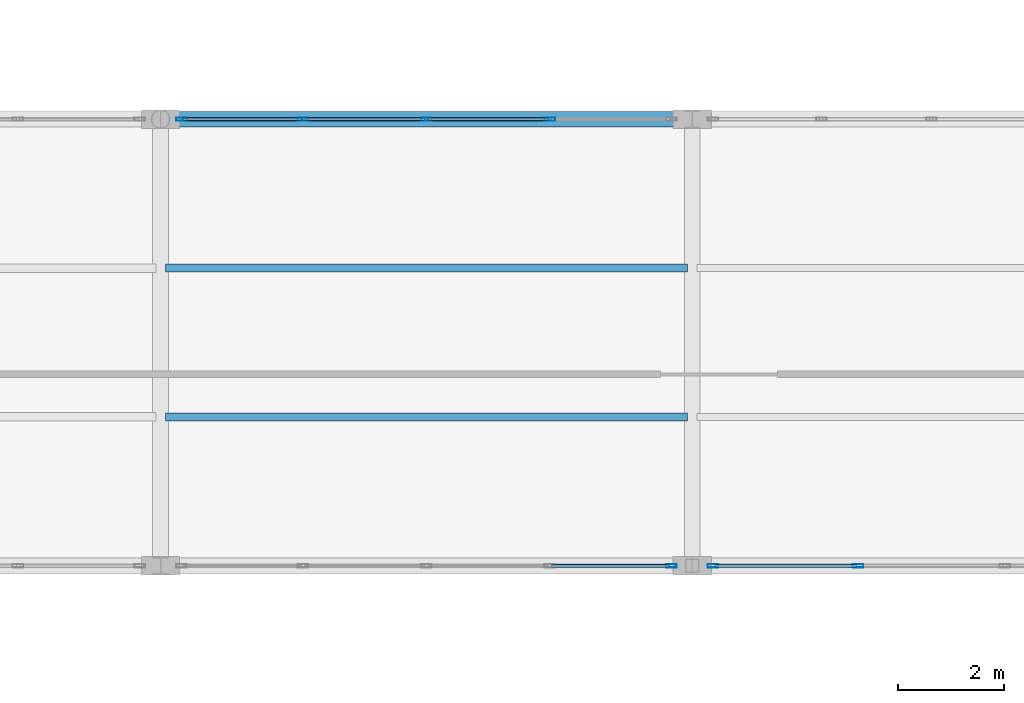
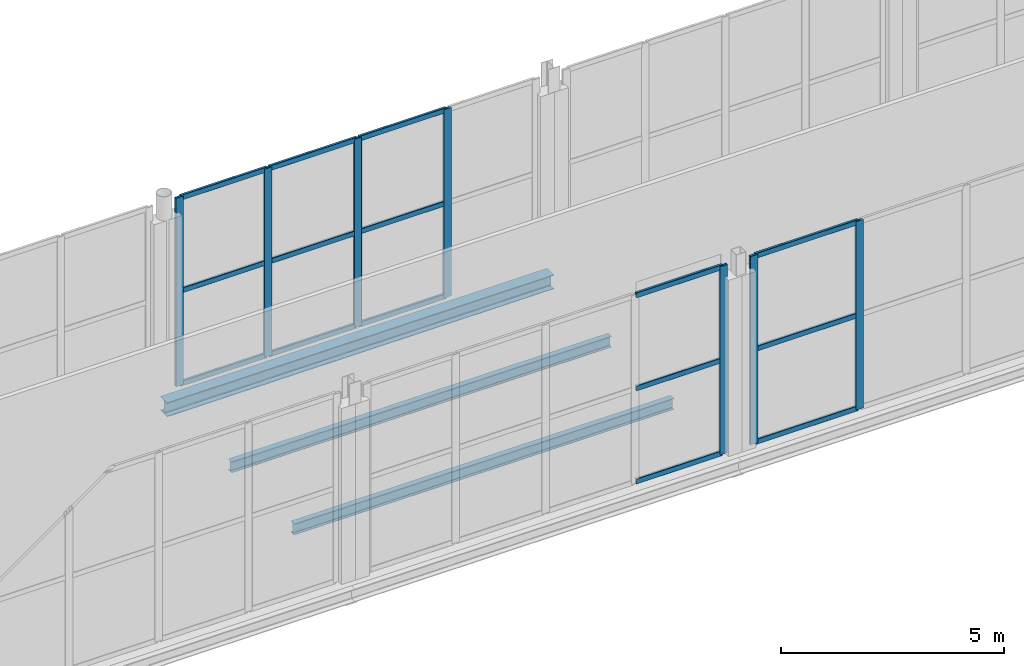
# One storey, part 86 of 147: 22 members, 3 beams, 3 elements without a shape of their own.
"""IFC4 building model written with IfcOpenShell, lengths in metres."""

from ifc_helpers import new_model, si_unit, direction, frame, origin, origin_2d, place, context, subcontext, project, spatial, hollow_rectangle, i_section, extrude, material, layer, layer_set, material_profile, profile_set, type_object, element, aggregate, save


model = new_model("IFC4")

# Units and contexts
model_context = context("Model", 3, precision=1e-05, world=origin(), true_north=direction((0.0, 1.0)))
body_context = subcontext(model_context, "Body", "Model", "MODEL_VIEW")
ifc_project = project(units=[si_unit("LENGTHUNIT", "METRE"), si_unit("AREAUNIT", "SQUARE_METRE"), si_unit("VOLUMEUNIT", "CUBIC_METRE"), si_unit("PLANEANGLEUNIT", "RADIAN"), si_unit("MASSUNIT", "GRAM", prefix="KILO")], contexts=[model_context])

# Site, building, storey
site_placement = place(None, origin())
site = spatial("IfcSite", under=ifc_project, at=site_placement, CompositionType="ELEMENT")
building_placement = place(site_placement, origin())
building = spatial("IfcBuilding", under=site, at=building_placement, Name="Vekula Escarpment Museum", CompositionType="ELEMENT")
storey_placement = place(building_placement, frame((0.0, 0.0, 7.800048828125)))
storey = spatial("IfcBuildingStorey", under=building, at=storey_placement, Name="L02", CompositionType="ELEMENT", Elevation=7.800048828125)

# Beams
ifc_material_1 = material(Name="Steel S355", Category="steel")
ifc_material_profile_1 = material_profile(ifc_material_1, i_section(OverallWidth=0.14990234375, OverallDepth=0.300048828125, WebThickness=0.007080078125, FlangeThickness=0.0107421875, FilletRadius=0.014892578125, at=origin_2d()), Name="IPE 300")
ifc_profile_set_1 = profile_set([ifc_material_profile_1], Name="Steel S355")
beam_type_1 = type_object("IfcBeamType", Name="BM-JST-IPE300", PredefinedType="JOIST", material=ifc_profile_set_1)
for number, where, z_axis, x_axis, name in (
    (1, (136.090087890625, 70.800048828125, -0.41015625), (1.0, 0.0, 0.0), (0.0, 1.0, 0.0), "Secondary Joist L02 0827"),
    (2, (136.090087890625, 73.60009765625, -0.41015625), (1.0, 0.0, 0.0), (0.0, 1.0, 0.0), "Secondary Joist L02 0828"),
):
    element("IfcBeam", number, at=place(storey_placement, frame(where, z_axis=z_axis, x_axis=x_axis)), inside=storey, type_object=beam_type_1, Name=name, PredefinedType="JOIST", context=body_context, shape_type="SweptSolid", body=[
        extrude(i_section(OverallWidth=0.14990234375, OverallDepth=0.300048828125, WebThickness=0.007080078125, FlangeThickness=0.0107421875, FilletRadius=0.014892578125, at=origin_2d()), origin(), (0.0, 0.0, 1.0), 9.81982421875),
    ])
ifc_material_2 = material(Name="Steel S355", Category="steel")
ifc_material_profile_2 = material_profile(ifc_material_2, i_section(OverallWidth=0.300048828125, OverallDepth=0.389892578125, WebThickness=0.010986328125, FlangeThickness=0.01904296875, FilletRadius=0.027099609375, at=origin_2d()), Name="HEA 400")
ifc_profile_set_2 = profile_set([ifc_material_profile_2], Name="Steel S355")
beam_type_2 = type_object("IfcBeamType", Name="BM-SPAN-HEA400", PredefinedType="SPANDREL", material=ifc_profile_set_2)
beam_placement = place(storey_placement, frame((136.0, 76.39990234375, -0.455078125), z_axis=(1.0, 0.0, 0.0), x_axis=(0.0, 1.0, 0.0)))
element("IfcBeam", 3, at=beam_placement, inside=storey, type_object=beam_type_2, Name="Beam X L02 0925", PredefinedType="SPANDREL", context=body_context, shape_type="SweptSolid", body=[
    extrude(i_section(OverallWidth=0.300048828125, OverallDepth=0.389892578125, WebThickness=0.010986328125, FlangeThickness=0.01904296875, FilletRadius=0.027099609375, at=origin_2d()), origin(), (0.0, 0.0, 1.0), 10.0),
])

# Curtain wall, member
ifc_material_3 = material(Name="Aluminium thermally broken framing", Category="aluminium")
ifc_layer_1 = layer(ifc_material_3, 0.199951171875)
ifc_layer_set_1 = layer_set([ifc_layer_1], Name="Aluminium thermally broken framing")
curtain_wall_type_1 = type_object("IfcCurtainWallType", Name="CW-SYS-04", PredefinedType="NOTDEFINED", material=ifc_layer_set_1)
curtain_wall_1_placement = place(storey_placement, origin())
curtain_wall_1 = element("IfcCurtainWall", 4, at=curtain_wall_1_placement, inside=storey, type_object=curtain_wall_type_1, Name="Curtain Wall CW-L02-064", PredefinedType="NOTDEFINED")
ifc_material_4 = material(Name="Aluminium anodized mullion", Category="aluminium")
ifc_material_profile_3 = material_profile(ifc_material_4, hollow_rectangle(XDim=0.06494140625, YDim=0.199951171875, WallThickness=0.00390625, InnerFilletRadius=0.00390625, OuterFilletRadius=0.008056640625, at=origin_2d()), Name="ALU 200x65x4")
ifc_profile_set_3 = profile_set([ifc_material_profile_3], Name="Aluminium anodized mullion")
member_type_1 = type_object("IfcMemberType", Name="CW-MUL-200", PredefinedType="MULLION", material=ifc_profile_set_3)
member_1_placement = place(storey_placement, frame((145.607421875, 68.0, 0.0), z_axis=(0.0, 0.0, 1.0), x_axis=(0.0, 1.0, 0.0)))
member_1 = element("IfcMember", 5, at=member_1_placement, type_object=member_type_1, Name="CW-04 mullion 5", PredefinedType="MULLION", context=body_context, shape_type="SweptSolid", body=[
    extrude(hollow_rectangle(XDim=0.06494140625, YDim=0.199951171875, WallThickness=0.00390625, InnerFilletRadius=0.00390625, OuterFilletRadius=0.008056640625, at=origin_2d()), origin(), (0.0, 0.0, 1.0), 5.14990234375),
])

# Curtain wall, members
ifc_material_5 = material(Name="Aluminium thermally broken framing", Category="aluminium")
ifc_layer_2 = layer(ifc_material_5, 0.159912109375)
ifc_layer_set_2 = layer_set([ifc_layer_2], Name="Aluminium thermally broken framing")
curtain_wall_type_2 = type_object("IfcCurtainWallType", Name="CW-SYS-05", PredefinedType="NOTDEFINED", material=ifc_layer_set_2)
curtain_wall_2_placement = place(storey_placement, origin())
curtain_wall_2 = element("IfcCurtainWall", 6, at=curtain_wall_2_placement, inside=storey, type_object=curtain_wall_type_2, Name="Curtain Wall CW-L02-065", PredefinedType="NOTDEFINED")
member_2_placement = place(storey_placement, frame((146.392578125, 68.0, 0.0), z_axis=(0.0, 0.0, 1.0), x_axis=(0.0, 1.0, 0.0)))
member_2 = element("IfcMember", 7, at=member_2_placement, type_object=member_type_1, Name="CW-05 mullion 1", PredefinedType="MULLION", context=body_context, shape_type="SweptSolid", body=[
    extrude(hollow_rectangle(XDim=0.06494140625, YDim=0.199951171875, WallThickness=0.00390625, InnerFilletRadius=0.00390625, OuterFilletRadius=0.008056640625, at=origin_2d()), origin(), (0.0, 0.0, 1.0), 5.14990234375),
])
member_3_placement = place(storey_placement, frame((149.1201171875, 68.0, 0.0), z_axis=(0.0, 0.0, 1.0), x_axis=(0.0, 1.0, 0.0)))
member_3 = element("IfcMember", 8, at=member_3_placement, type_object=member_type_1, Name="CW-05 mullion 2", PredefinedType="MULLION", context=body_context, shape_type="SweptSolid", body=[
    extrude(hollow_rectangle(XDim=0.06494140625, YDim=0.199951171875, WallThickness=0.00390625, InnerFilletRadius=0.00390625, OuterFilletRadius=0.008056640625, at=origin_2d()), origin(), (0.0, 0.0, 1.0), 5.14990234375),
])

ifc_material_6 = material(Name="Aluminium thermally broken framing", Category="aluminium")
ifc_layer_3 = layer(ifc_material_6, 0.159912109375)
ifc_layer_set_3 = layer_set([ifc_layer_3], Name="Aluminium thermally broken framing")
curtain_wall_type_3 = type_object("IfcCurtainWallType", Name="CW-SYS-02", PredefinedType="NOTDEFINED", material=ifc_layer_set_3)
curtain_wall_3_placement = place(storey_placement, origin())
curtain_wall_3 = element("IfcCurtainWall", 9, at=curtain_wall_3_placement, inside=storey, type_object=curtain_wall_type_3, Name="Curtain Wall CW-L02-072", PredefinedType="NOTDEFINED")
member_4_placement = place(storey_placement, frame((143.320068359375, 76.39990234375, 0.0), z_axis=(0.0, 0.0, 1.0), x_axis=(0.0, -1.0, 0.0)))
member_4 = element("IfcMember", 10, at=member_4_placement, type_object=member_type_1, Name="CW-02 mullion 2", PredefinedType="MULLION", context=body_context, shape_type="SweptSolid", body=[
    extrude(hollow_rectangle(XDim=0.06494140625, YDim=0.199951171875, WallThickness=0.00390625, InnerFilletRadius=0.00390625, OuterFilletRadius=0.008056640625, at=origin_2d()), origin(), (0.0, 0.0, 1.0), 5.14990234375),
])
member_5_placement = place(storey_placement, frame((141.0, 76.39990234375, 0.0), z_axis=(0.0, 0.0, 1.0), x_axis=(0.0, -1.0, 0.0)))
member_5 = element("IfcMember", 11, at=member_5_placement, type_object=member_type_1, Name="CW-02 mullion 3", PredefinedType="MULLION", context=body_context, shape_type="SweptSolid", body=[
    extrude(hollow_rectangle(XDim=0.06494140625, YDim=0.199951171875, WallThickness=0.00390625, InnerFilletRadius=0.00390625, OuterFilletRadius=0.008056640625, at=origin_2d()), origin(), (0.0, 0.0, 1.0), 5.14990234375),
])
member_6_placement = place(storey_placement, frame((138.679931640625, 76.39990234375, 0.0), z_axis=(0.0, 0.0, 1.0), x_axis=(0.0, -1.0, 0.0)))
member_6 = element("IfcMember", 12, at=member_6_placement, type_object=member_type_1, Name="CW-02 mullion 4", PredefinedType="MULLION", context=body_context, shape_type="SweptSolid", body=[
    extrude(hollow_rectangle(XDim=0.06494140625, YDim=0.199951171875, WallThickness=0.00390625, InnerFilletRadius=0.00390625, OuterFilletRadius=0.008056640625, at=origin_2d()), origin(), (0.0, 0.0, 1.0), 5.14990234375),
])
member_7_placement = place(storey_placement, frame((136.392578125, 76.39990234375, 0.0), z_axis=(0.0, 0.0, 1.0), x_axis=(0.0, -1.0, 0.0)))
member_7 = element("IfcMember", 13, at=member_7_placement, type_object=member_type_1, Name="CW-02 mullion 5", PredefinedType="MULLION", context=body_context, shape_type="SweptSolid", body=[
    extrude(hollow_rectangle(XDim=0.06494140625, YDim=0.199951171875, WallThickness=0.00390625, InnerFilletRadius=0.00390625, OuterFilletRadius=0.008056640625, at=origin_2d()), origin(), (0.0, 0.0, 1.0), 5.14990234375),
])

# Member
ifc_material_7 = material(Name="Aluminium anodized transom", Category="aluminium")
ifc_material_profile_4 = material_profile(ifc_material_7, hollow_rectangle(XDim=0.06494140625, YDim=0.139892578125, WallThickness=0.00390625, InnerFilletRadius=0.00390625, OuterFilletRadius=0.008056640625, at=origin_2d()), Name="ALU 140x65x4")
ifc_profile_set_4 = profile_set([ifc_material_profile_4], Name="Aluminium anodized transom")
member_type_2 = type_object("IfcMemberType", Name="CW-TRN-140", PredefinedType="USERDEFINED", material=ifc_profile_set_4)
member_8_placement = place(storey_placement, frame((143.3525390625, 68.0, 0.032470703125), z_axis=(1.0, 0.0, 0.0), x_axis=(0.0, 1.0, 0.0)))
member_8 = element("IfcMember", 14, at=member_8_placement, type_object=member_type_2, Name="CW-04 transom 4.1", ObjectType="TRANSOM", PredefinedType="USERDEFINED", context=body_context, shape_type="SweptSolid", body=[
    extrude(hollow_rectangle(XDim=0.06494140625, YDim=0.139892578125, WallThickness=0.00390625, InnerFilletRadius=0.00390625, OuterFilletRadius=0.008056640625, at=origin_2d()), origin(), (0.0, 0.0, 1.0), 2.222412109375),
])

member_9_placement = place(storey_placement, frame((143.3525390625, 68.0, 2.574951171875), z_axis=(1.0, 0.0, 0.0), x_axis=(0.0, 1.0, 0.0)))
member_9 = element("IfcMember", 15, at=member_9_placement, type_object=member_type_2, Name="CW-04 transom 4.2", ObjectType="TRANSOM", PredefinedType="USERDEFINED", context=body_context, shape_type="SweptSolid", body=[
    extrude(hollow_rectangle(XDim=0.06494140625, YDim=0.139892578125, WallThickness=0.00390625, InnerFilletRadius=0.00390625, OuterFilletRadius=0.008056640625, at=origin_2d()), origin(), (0.0, 0.0, 1.0), 2.222412109375),
])

member_10_placement = place(storey_placement, frame((143.3525390625, 68.0, 5.117431640625), z_axis=(1.0, 0.0, 0.0), x_axis=(0.0, 1.0, 0.0)))
member_10 = element("IfcMember", 16, at=member_10_placement, type_object=member_type_2, Name="CW-04 transom 4.3", ObjectType="TRANSOM", PredefinedType="USERDEFINED", context=body_context, shape_type="SweptSolid", body=[
    extrude(hollow_rectangle(XDim=0.06494140625, YDim=0.139892578125, WallThickness=0.00390625, InnerFilletRadius=0.00390625, OuterFilletRadius=0.008056640625, at=origin_2d()), origin(), (0.0, 0.0, 1.0), 2.222412109375),
])

aggregate(curtain_wall_1, [member_1, member_8, member_9, member_10])

member_11_placement = place(storey_placement, frame((146.425048828125, 68.0, 0.032470703125), z_axis=(1.0, 0.0, 0.0), x_axis=(0.0, 1.0, 0.0)))
member_11 = element("IfcMember", 17, at=member_11_placement, type_object=member_type_2, Name="CW-05 transom 1.1", ObjectType="TRANSOM", PredefinedType="USERDEFINED", context=body_context, shape_type="SweptSolid", body=[
    extrude(hollow_rectangle(XDim=0.06494140625, YDim=0.139892578125, WallThickness=0.00390625, InnerFilletRadius=0.00390625, OuterFilletRadius=0.008056640625, at=origin_2d()), origin(), (0.0, 0.0, 1.0), 2.662353515625),
])

member_12_placement = place(storey_placement, frame((146.425048828125, 68.0, 2.574951171875), z_axis=(1.0, 0.0, 0.0), x_axis=(0.0, 1.0, 0.0)))
member_12 = element("IfcMember", 18, at=member_12_placement, type_object=member_type_2, Name="CW-05 transom 1.2", ObjectType="TRANSOM", PredefinedType="USERDEFINED", context=body_context, shape_type="SweptSolid", body=[
    extrude(hollow_rectangle(XDim=0.06494140625, YDim=0.139892578125, WallThickness=0.00390625, InnerFilletRadius=0.00390625, OuterFilletRadius=0.008056640625, at=origin_2d()), origin(), (0.0, 0.0, 1.0), 2.662353515625),
])

member_13_placement = place(storey_placement, frame((146.425048828125, 68.0, 5.117431640625), z_axis=(1.0, 0.0, 0.0), x_axis=(0.0, 1.0, 0.0)))
member_13 = element("IfcMember", 19, at=member_13_placement, type_object=member_type_2, Name="CW-05 transom 1.3", ObjectType="TRANSOM", PredefinedType="USERDEFINED", context=body_context, shape_type="SweptSolid", body=[
    extrude(hollow_rectangle(XDim=0.06494140625, YDim=0.139892578125, WallThickness=0.00390625, InnerFilletRadius=0.00390625, OuterFilletRadius=0.008056640625, at=origin_2d()), origin(), (0.0, 0.0, 1.0), 2.662353515625),
])

aggregate(curtain_wall_2, [member_2, member_3, member_11, member_12, member_13])

member_14_placement = place(storey_placement, frame((143.28759765625, 76.39990234375, 0.032470703125), z_axis=(-1.0, 0.0, 0.0), x_axis=(0.0, -1.0, 0.0)))
member_14 = element("IfcMember", 20, at=member_14_placement, type_object=member_type_2, Name="CW-02 transom 2.1", ObjectType="TRANSOM", PredefinedType="USERDEFINED", context=body_context, shape_type="SweptSolid", body=[
    extrude(hollow_rectangle(XDim=0.06494140625, YDim=0.139892578125, WallThickness=0.00390625, InnerFilletRadius=0.00390625, OuterFilletRadius=0.008056640625, at=origin_2d()), origin(), (0.0, 0.0, 1.0), 2.255126953125),
])

member_15_placement = place(storey_placement, frame((143.28759765625, 76.39990234375, 2.574951171875), z_axis=(-1.0, 0.0, 0.0), x_axis=(0.0, -1.0, 0.0)))
member_15 = element("IfcMember", 21, at=member_15_placement, type_object=member_type_2, Name="CW-02 transom 2.2", ObjectType="TRANSOM", PredefinedType="USERDEFINED", context=body_context, shape_type="SweptSolid", body=[
    extrude(hollow_rectangle(XDim=0.06494140625, YDim=0.139892578125, WallThickness=0.00390625, InnerFilletRadius=0.00390625, OuterFilletRadius=0.008056640625, at=origin_2d()), origin(), (0.0, 0.0, 1.0), 2.255126953125),
])

member_16_placement = place(storey_placement, frame((143.28759765625, 76.39990234375, 5.117431640625), z_axis=(-1.0, 0.0, 0.0), x_axis=(0.0, -1.0, 0.0)))
member_16 = element("IfcMember", 22, at=member_16_placement, type_object=member_type_2, Name="CW-02 transom 2.3", ObjectType="TRANSOM", PredefinedType="USERDEFINED", context=body_context, shape_type="SweptSolid", body=[
    extrude(hollow_rectangle(XDim=0.06494140625, YDim=0.139892578125, WallThickness=0.00390625, InnerFilletRadius=0.00390625, OuterFilletRadius=0.008056640625, at=origin_2d()), origin(), (0.0, 0.0, 1.0), 2.255126953125),
])

member_17_placement = place(storey_placement, frame((140.967529296875, 76.39990234375, 0.032470703125), z_axis=(-1.0, 0.0, 0.0), x_axis=(0.0, -1.0, 0.0)))
member_17 = element("IfcMember", 23, at=member_17_placement, type_object=member_type_2, Name="CW-02 transom 3.1", ObjectType="TRANSOM", PredefinedType="USERDEFINED", context=body_context, shape_type="SweptSolid", body=[
    extrude(hollow_rectangle(XDim=0.06494140625, YDim=0.139892578125, WallThickness=0.00390625, InnerFilletRadius=0.00390625, OuterFilletRadius=0.008056640625, at=origin_2d()), origin(), (0.0, 0.0, 1.0), 2.255126953125),
])

member_18_placement = place(storey_placement, frame((140.967529296875, 76.39990234375, 2.574951171875), z_axis=(-1.0, 0.0, 0.0), x_axis=(0.0, -1.0, 0.0)))
member_18 = element("IfcMember", 24, at=member_18_placement, type_object=member_type_2, Name="CW-02 transom 3.2", ObjectType="TRANSOM", PredefinedType="USERDEFINED", context=body_context, shape_type="SweptSolid", body=[
    extrude(hollow_rectangle(XDim=0.06494140625, YDim=0.139892578125, WallThickness=0.00390625, InnerFilletRadius=0.00390625, OuterFilletRadius=0.008056640625, at=origin_2d()), origin(), (0.0, 0.0, 1.0), 2.255126953125),
])

member_19_placement = place(storey_placement, frame((140.967529296875, 76.39990234375, 5.117431640625), z_axis=(-1.0, 0.0, 0.0), x_axis=(0.0, -1.0, 0.0)))
member_19 = element("IfcMember", 25, at=member_19_placement, type_object=member_type_2, Name="CW-02 transom 3.3", ObjectType="TRANSOM", PredefinedType="USERDEFINED", context=body_context, shape_type="SweptSolid", body=[
    extrude(hollow_rectangle(XDim=0.06494140625, YDim=0.139892578125, WallThickness=0.00390625, InnerFilletRadius=0.00390625, OuterFilletRadius=0.008056640625, at=origin_2d()), origin(), (0.0, 0.0, 1.0), 2.255126953125),
])

member_20_placement = place(storey_placement, frame((138.6474609375, 76.39990234375, 0.032470703125), z_axis=(-1.0, 0.0, 0.0), x_axis=(0.0, -1.0, 0.0)))
member_20 = element("IfcMember", 26, at=member_20_placement, type_object=member_type_2, Name="CW-02 transom 4.1", ObjectType="TRANSOM", PredefinedType="USERDEFINED", context=body_context, shape_type="SweptSolid", body=[
    extrude(hollow_rectangle(XDim=0.06494140625, YDim=0.139892578125, WallThickness=0.00390625, InnerFilletRadius=0.00390625, OuterFilletRadius=0.008056640625, at=origin_2d()), origin(), (0.0, 0.0, 1.0), 2.222412109375),
])

member_21_placement = place(storey_placement, frame((138.6474609375, 76.39990234375, 2.574951171875), z_axis=(-1.0, 0.0, 0.0), x_axis=(0.0, -1.0, 0.0)))
member_21 = element("IfcMember", 27, at=member_21_placement, type_object=member_type_2, Name="CW-02 transom 4.2", ObjectType="TRANSOM", PredefinedType="USERDEFINED", context=body_context, shape_type="SweptSolid", body=[
    extrude(hollow_rectangle(XDim=0.06494140625, YDim=0.139892578125, WallThickness=0.00390625, InnerFilletRadius=0.00390625, OuterFilletRadius=0.008056640625, at=origin_2d()), origin(), (0.0, 0.0, 1.0), 2.222412109375),
])

member_22_placement = place(storey_placement, frame((138.6474609375, 76.39990234375, 5.117431640625), z_axis=(-1.0, 0.0, 0.0), x_axis=(0.0, -1.0, 0.0)))
member_22 = element("IfcMember", 28, at=member_22_placement, type_object=member_type_2, Name="CW-02 transom 4.3", ObjectType="TRANSOM", PredefinedType="USERDEFINED", context=body_context, shape_type="SweptSolid", body=[
    extrude(hollow_rectangle(XDim=0.06494140625, YDim=0.139892578125, WallThickness=0.00390625, InnerFilletRadius=0.00390625, OuterFilletRadius=0.008056640625, at=origin_2d()), origin(), (0.0, 0.0, 1.0), 2.222412109375),
])

aggregate(curtain_wall_3, [member_4, member_5, member_6, member_7, member_14, member_15, member_16, member_17, member_18, member_19, member_20, member_21, member_22])

save(model, "model.ifc")
